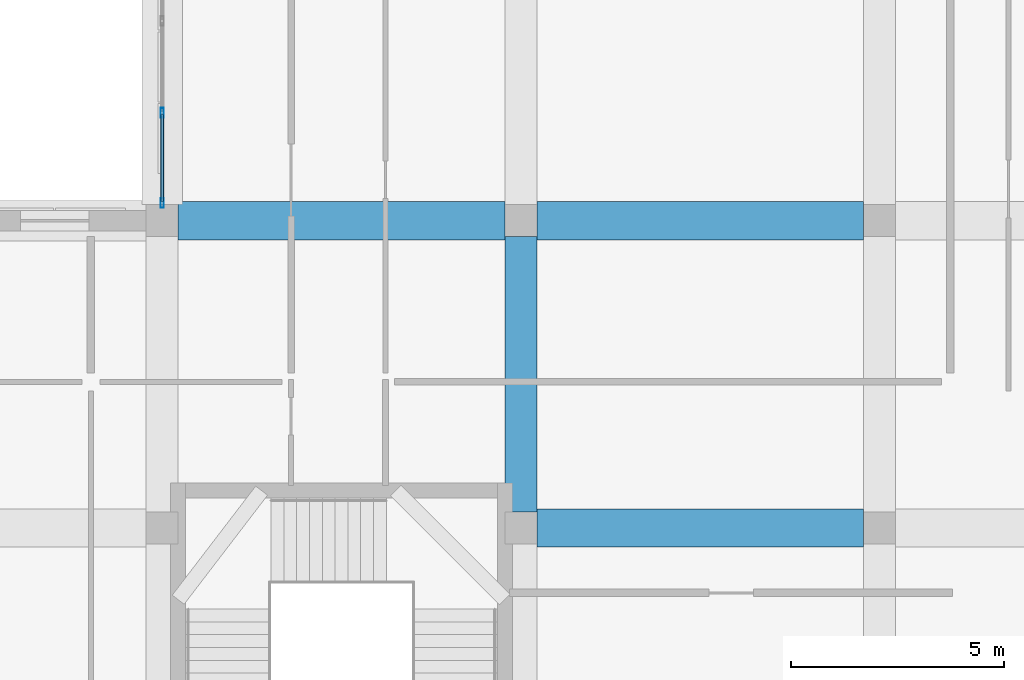
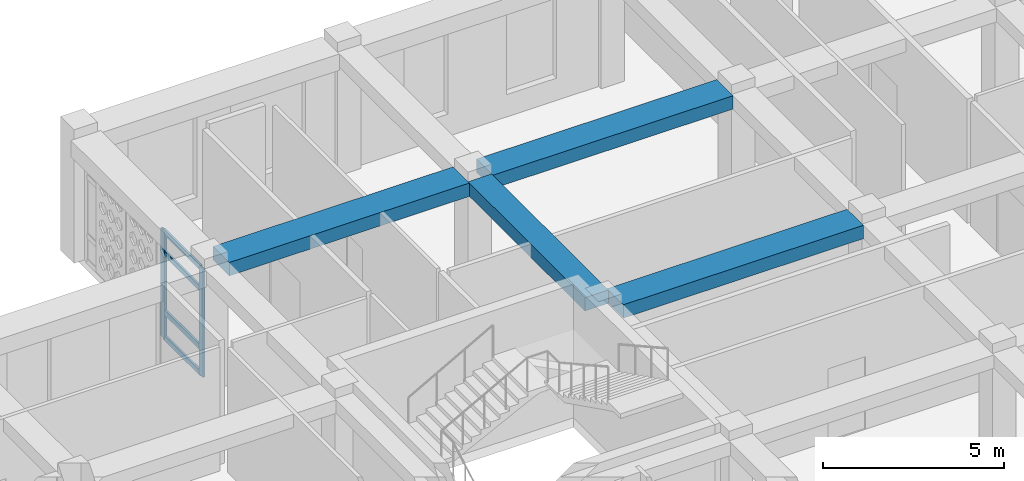
# One storey, part 32 of 111: 6 members, 4 beams, 1 element without a shape of its own.
"""IFC4 building model written with IfcOpenShell, lengths in metres."""

from ifc_helpers import new_model, si_unit, derived_unit, direction, frame, origin, origin_2d, place, context, subcontext, project, spatial, rectangle, hollow_rectangle, extrude, material, material_profile, profile_set, type_object, element, aggregate, save


model = new_model("IFC4")

# Units and contexts
model_context = context("Model", 3, precision=1e-05, world=origin(), true_north=direction((0.0, 1.0)))
body_context = subcontext(model_context, "Body", "Model", "MODEL_VIEW")
ifc_project = project(units=[si_unit("LENGTHUNIT", "METRE"), si_unit("AREAUNIT", "SQUARE_METRE"), si_unit("VOLUMEUNIT", "CUBIC_METRE"), si_unit("PLANEANGLEUNIT", "RADIAN"), si_unit("MASSUNIT", "GRAM", prefix="KILO"), derived_unit("THERMALTRANSMITTANCEUNIT", [(si_unit("POWERUNIT", "WATT"), 1), (si_unit("LENGTHUNIT", "METRE"), -2), (si_unit("THERMODYNAMICTEMPERATUREUNIT", "KELVIN"), -1)])], contexts=[model_context])

# Site, building, storey
site_placement = place(None, origin())
site = spatial("IfcSite", under=ifc_project, at=site_placement, CompositionType="ELEMENT")
building_placement = place(site_placement, origin())
building = spatial("IfcBuilding", under=site, at=building_placement, Name="Veybourne Emporium", CompositionType="ELEMENT")
storey_placement = place(building_placement, frame((0.0, 0.0, 9.89990234375)))
storey = spatial("IfcBuildingStorey", under=building, at=storey_placement, Name="L02", CompositionType="ELEMENT", Elevation=9.89990234375)

# Curtain wall, members
ifc_material_1 = material(Name="Patinated Architectural Bronze", Category="bronze")
curtain_wall_type = type_object("IfcCurtainWallType", Name="CWSystem_CWS-10", PredefinedType="NOTDEFINED", material=ifc_material_1)
curtain_wall_placement = place(storey_placement, origin())
curtain_wall = element("IfcCurtainWall", 1, at=curtain_wall_placement, inside=storey, type_object=curtain_wall_type, Name="L02 bronze glazed curtain wall CWS-10 (018)", PredefinedType="NOTDEFINED")
ifc_material_profile_1 = material_profile(ifc_material_1, hollow_rectangle(XDim=0.074951171875, YDim=0.22998046875, WallThickness=0.0048828125, InnerFilletRadius=0.007568359375, OuterFilletRadius=0.012451171875, at=origin_2d()), Name="CWM 75x230x5")
ifc_profile_set_1 = profile_set([ifc_material_profile_1], Name="Patinated Architectural Bronze")
member_type_1 = type_object("IfcMemberType", Name="CWMullion_CW-M2", PredefinedType="MULLION", material=ifc_profile_set_1)
member_1_placement = place(storey_placement, frame((16.800048828125, 79.612548828125, 0.0), z_axis=(0.0, 0.0, 1.0), x_axis=(-1.0, 0.0, 0.0)))
member_1 = element("IfcMember", 2, at=member_1_placement, type_object=member_type_1, Name="CWS-10 mullion 1", PredefinedType="MULLION", context=body_context, shape_type="SweptSolid", body=[
    extrude(hollow_rectangle(XDim=0.074951171875, YDim=0.22998046875, WallThickness=0.0048828125, InnerFilletRadius=0.007568359375, OuterFilletRadius=0.012451171875, at=origin_2d()), origin(), (0.0, 0.0, 1.0), 3.630126953125),
])
member_2_placement = place(storey_placement, frame((16.800048828125, 81.72509765625, 0.0), z_axis=(0.0, 0.0, 1.0), x_axis=(-1.0, 0.0, 0.0)))
member_2 = element("IfcMember", 3, at=member_2_placement, type_object=member_type_1, Name="CWS-10 mullion 2", PredefinedType="MULLION", context=body_context, shape_type="SweptSolid", body=[
    extrude(hollow_rectangle(XDim=0.074951171875, YDim=0.22998046875, WallThickness=0.0048828125, InnerFilletRadius=0.007568359375, OuterFilletRadius=0.012451171875, at=origin_2d()), origin(), (0.0, 0.0, 1.0), 3.630126953125),
])
ifc_material_profile_2 = material_profile(ifc_material_1, hollow_rectangle(XDim=0.074951171875, YDim=0.179931640625, WallThickness=0.0048828125, InnerFilletRadius=0.007568359375, OuterFilletRadius=0.012451171875, at=origin_2d()), Name="CWT 75x180x5")
ifc_profile_set_2 = profile_set([ifc_material_profile_2], Name="Patinated Architectural Bronze")
member_type_2 = type_object("IfcMemberType", Name="CWTransom_CW-T2", PredefinedType="NOTDEFINED", material=ifc_profile_set_2)
member_3_placement = place(storey_placement, frame((16.800048828125, 79.64990234375, 0.03759765625), z_axis=(0.0, 1.0, 0.0), x_axis=(-1.0, 0.0, 0.0)))
member_3 = element("IfcMember", 4, at=member_3_placement, type_object=member_type_2, Name="CWS-10 transom 1.1", ObjectType="TRANSOM", PredefinedType="USERDEFINED", context=body_context, shape_type="SweptSolid", body=[
    extrude(hollow_rectangle(XDim=0.074951171875, YDim=0.179931640625, WallThickness=0.0048828125, InnerFilletRadius=0.007568359375, OuterFilletRadius=0.012451171875, at=origin_2d()), origin(), (0.0, 0.0, 1.0), 2.03759765625),
])
member_4_placement = place(storey_placement, frame((16.800048828125, 79.64990234375, 0.900146484375), z_axis=(0.0, 1.0, 0.0), x_axis=(-1.0, 0.0, 0.0)))
member_4 = element("IfcMember", 5, at=member_4_placement, type_object=member_type_2, Name="CWS-10 transom 1.2", ObjectType="TRANSOM", PredefinedType="USERDEFINED", context=body_context, shape_type="SweptSolid", body=[
    extrude(hollow_rectangle(XDim=0.074951171875, YDim=0.179931640625, WallThickness=0.0048828125, InnerFilletRadius=0.007568359375, OuterFilletRadius=0.012451171875, at=origin_2d()), origin(), (0.0, 0.0, 1.0), 2.03759765625),
])
member_5_placement = place(storey_placement, frame((16.800048828125, 79.64990234375, 2.880126953125), z_axis=(0.0, 1.0, 0.0), x_axis=(-1.0, 0.0, 0.0)))
member_5 = element("IfcMember", 6, at=member_5_placement, type_object=member_type_2, Name="CWS-10 transom 1.3", ObjectType="TRANSOM", PredefinedType="USERDEFINED", context=body_context, shape_type="SweptSolid", body=[
    extrude(hollow_rectangle(XDim=0.074951171875, YDim=0.179931640625, WallThickness=0.0048828125, InnerFilletRadius=0.007568359375, OuterFilletRadius=0.012451171875, at=origin_2d()), origin(), (0.0, 0.0, 1.0), 2.03759765625),
])
member_6_placement = place(storey_placement, frame((16.800048828125, 79.64990234375, 3.592529296875), z_axis=(0.0, 1.0, 0.0), x_axis=(-1.0, 0.0, 0.0)))
member_6 = element("IfcMember", 7, at=member_6_placement, type_object=member_type_2, Name="CWS-10 transom 1.4", ObjectType="TRANSOM", PredefinedType="USERDEFINED", context=body_context, shape_type="SweptSolid", body=[
    extrude(hollow_rectangle(XDim=0.074951171875, YDim=0.179931640625, WallThickness=0.0048828125, InnerFilletRadius=0.007568359375, OuterFilletRadius=0.012451171875, at=origin_2d()), origin(), (0.0, 0.0, 1.0), 2.03759765625),
])
aggregate(curtain_wall, [member_1, member_2, member_3, member_4, member_5, member_6])

# Beams
ifc_material_2 = material(Name="Concrete C32/40", Category="concrete")
ifc_material_profile_3 = material_profile(ifc_material_2, rectangle(XDim=0.89990234375, YDim=0.449951171875, at=origin_2d()), Name="RC 900x450")
ifc_profile_set_3 = profile_set([ifc_material_profile_3], Name="Concrete C32/40")
beam_type_1 = type_object("IfcBeamType", Name="RCBeam_BB-03", PredefinedType="BEAM", material=ifc_profile_set_3)
beam_1_placement = place(storey_placement, frame((17.175048828125, 79.199951171875, 3.955078125), z_axis=(1.0, 0.0, 0.0), x_axis=(0.0, 1.0, 0.0)))
element("IfcBeam", 8, at=beam_1_placement, inside=storey, type_object=beam_type_1, Name="L02 X-grid beam BB-03 (2,11)", PredefinedType="BEAM", context=body_context, shape_type="SweptSolid", body=[
    extrude(rectangle(XDim=0.89990234375, YDim=0.449951171875, at=origin_2d()), origin(), (0.0, 0.0, 1.0), 7.64990234375),
])
for number, where, z_axis, x_axis, name in (
    (9, (25.574951171875, 72.0, 3.955078125), (1.0, 0.0, 0.0), (0.0, 1.0, 0.0), "L02 X-grid beam BB-03 (3,10)"),
    (10, (25.574951171875, 79.199951171875, 3.955078125), (1.0, 0.0, 0.0), (0.0, 1.0, 0.0), "L02 X-grid beam BB-03 (3,11)"),
):
    element("IfcBeam", number, at=place(storey_placement, frame(where, z_axis=z_axis, x_axis=x_axis)), inside=storey, type_object=beam_type_1, Name=name, PredefinedType="BEAM", context=body_context, shape_type="SweptSolid", body=[
        extrude(rectangle(XDim=0.89990234375, YDim=0.449951171875, at=origin_2d()), origin(), (0.0, 0.0, 1.0), 7.650146484375),
    ])
ifc_material_profile_4 = material_profile(ifc_material_2, rectangle(XDim=0.75, YDim=0.449951171875, at=origin_2d()), Name="RC 750x450")
ifc_profile_set_4 = profile_set([ifc_material_profile_4], Name="Concrete C32/40")
beam_type_2 = type_object("IfcBeamType", Name="RCBeam_BB-04", PredefinedType="BEAM", material=ifc_profile_set_4)
beam_2_placement = place(storey_placement, frame((25.199951171875, 72.375, 3.955078125), z_axis=(0.0, 1.0, 0.0), x_axis=(-1.0, 0.0, 0.0)))
element("IfcBeam", 11, at=beam_2_placement, inside=storey, type_object=beam_type_2, Name="L02 Y-grid beam BB-04 (3,10)", PredefinedType="BEAM", context=body_context, shape_type="SweptSolid", body=[
    extrude(rectangle(XDim=0.75, YDim=0.449951171875, at=origin_2d()), origin(), (0.0, 0.0, 1.0), 6.449951171875),
])

save(model, "model.ifc")
